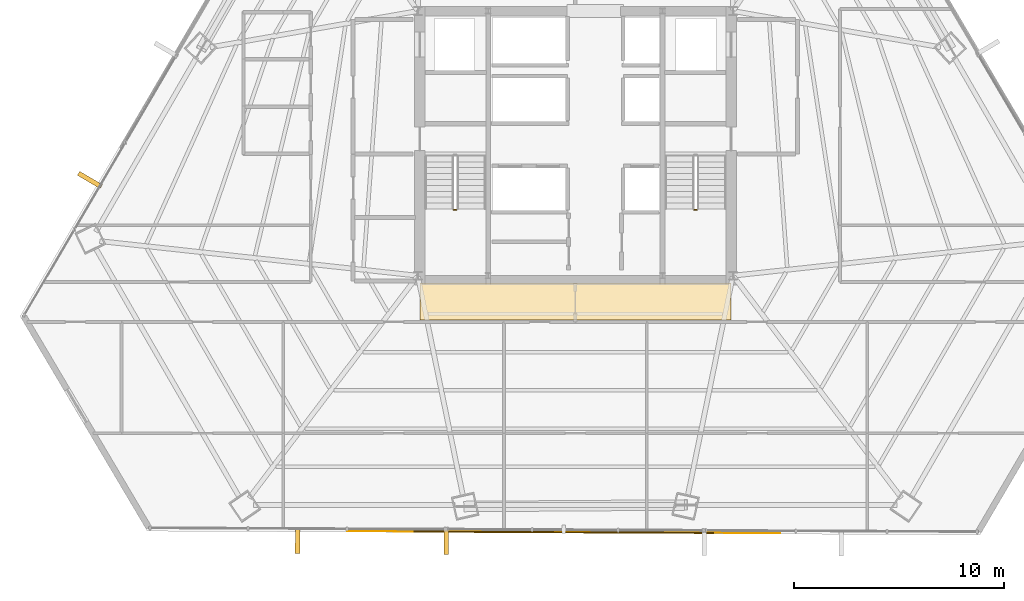
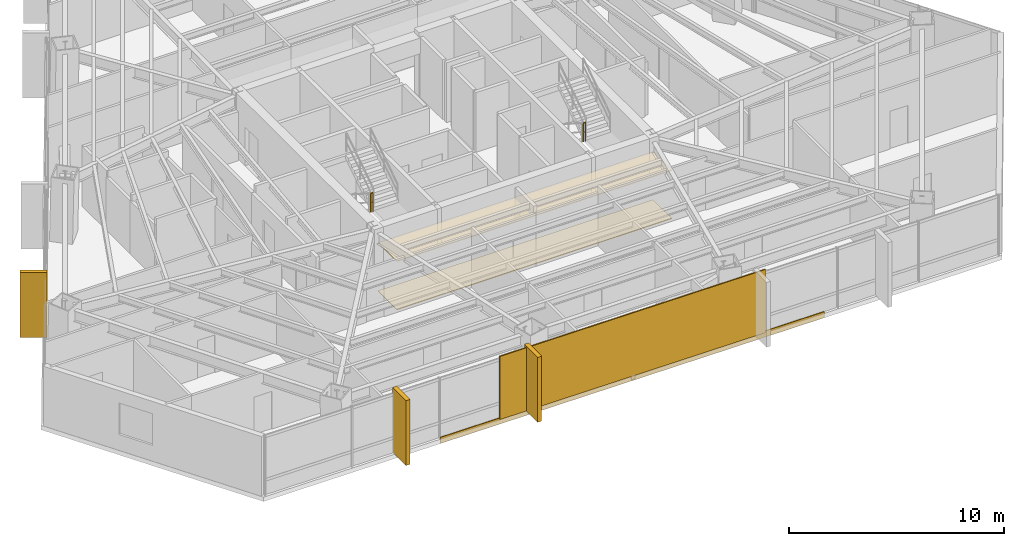
# One storey, part 33 of 35: 6 coverings, 2 railings, 1 shading device.
"""IFC4 building model written with IfcOpenShell, lengths in metres."""

from ifc_helpers import new_model, si_unit, direction, frame, origin, origin_2d, place, context, subcontext, project, spatial, polyline, rectangle, outline, extrude, source, transform, mapped, material, layer, layer_set, type_object, type_shapes, element, save


model = new_model("IFC4")

# Units and contexts
model_context = context("Model", 3, precision=1e-05, world=origin(), true_north=direction((0.0, 1.0)))
body_context = subcontext(model_context, "Body", "Model", "MODEL_VIEW")
ifc_project = project(units=[si_unit("LENGTHUNIT", "METRE"), si_unit("AREAUNIT", "SQUARE_METRE"), si_unit("VOLUMEUNIT", "CUBIC_METRE"), si_unit("PLANEANGLEUNIT", "RADIAN"), si_unit("MASSUNIT", "GRAM", prefix="KILO")], contexts=[model_context])

# Site, building, storey
site_placement = place(None, origin())
site = spatial("IfcSite", under=ifc_project, at=site_placement, CompositionType="ELEMENT")
building_placement = place(site_placement, origin())
building = spatial("IfcBuilding", under=site, at=building_placement, Name="Caelisora Broadcast Tower", CompositionType="ELEMENT")
storey_placement = place(building_placement, frame((0.0, 0.0, 109.050048828125)))
storey = spatial("IfcBuildingStorey", under=building, at=storey_placement, Name="L28", CompositionType="ELEMENT", Elevation=109.050048828125)

# Coverings
ifc_material_1 = material(Name="Perforated Mineral-Fibre Acoustic Ceiling Tile", Category="gypsum")
ifc_layer_1 = layer(ifc_material_1, 0.034912109375, Name="Perforated Mineral-Fibre Acoustic Ceiling Tile")
ifc_layer_set_1 = layer_set([ifc_layer_1], Name="Perforated Mineral-Fibre Acoustic Ceiling Tile")
covering_type_1 = type_object("IfcCoveringType", Name="CE-1", PredefinedType="CEILING", material=ifc_layer_set_1)
covering_1_placement = place(storey_placement, frame((0.0, 0.0, 2.75)))
element("IfcCovering", 1, at=covering_1_placement, inside=storey, type_object=covering_type_1, Name="L28 acoustic corridor ceiling CE-1 (S)", PredefinedType="CEILING", context=body_context, shape_type="SweptSolid", body=[
    extrude(outline(polyline([(30.60009765625, 15.300048828125), (45.39990234375, 15.300048828125), (45.39990234375, 17.050048828125), (30.60009765625, 17.050048828125), (30.60009765625, 15.300048828125)])), origin(), (0.0, 0.0, 1.0), 0.034912109375),
])
ifc_material_2 = material(Name="Anti-Static Broadcast Raised Access Floor Panel", Category="steel")
ifc_layer_2 = layer(ifc_material_2, 0.044921875, Name="Anti-Static Broadcast Raised Access Floor Panel")
ifc_layer_set_2 = layer_set([ifc_layer_2], Name="Anti-Static Broadcast Raised Access Floor Panel")
covering_type_2 = type_object("IfcCoveringType", Name="FL-1", PredefinedType="FLOORING", material=ifc_layer_set_2)
covering_2_placement = place(storey_placement, origin())
element("IfcCovering", 2, at=covering_2_placement, inside=storey, type_object=covering_type_2, Name="L28 broadcast raised access floor FL-1 (S)", PredefinedType="FLOORING", context=body_context, shape_type="SweptSolid", body=[
    extrude(outline(polyline([(30.60009765625, 15.300048828125), (45.39990234375, 15.300048828125), (45.39990234375, 17.050048828125), (30.60009765625, 17.050048828125), (30.60009765625, 15.300048828125)])), origin(), (0.0, 0.0, 1.0), 0.044921875),
])

# Railings
ifc_material_3 = material(Name="Galvanised Steel Safety Guardrail", Category="steel")
ifc_layer_3 = layer(ifc_material_3, 0.048095703125, Name="Galvanised Steel Safety Guardrail")
ifc_layer_set_3 = layer_set([ifc_layer_3], Name="Galvanised Steel Safety Guardrail")
railing_type = type_object("IfcRailingType", Name="GR-1", PredefinedType="GUARDRAIL", material=ifc_layer_set_3)
for number, where, name in (
    (3, (32.219970703125, 20.530029296875, 1.824951171875), "L28 ST-1 stair guard 2"),
    (4, (43.659912109375, 20.530029296875, 1.824951171875), "L28 ST-2 stair guard 2"),
):
    element("IfcRailing", number, at=place(storey_placement, frame(where)), inside=storey, type_object=railing_type, Name=name, PredefinedType="GUARDRAIL", context=body_context, shape_type="SweptSolid", body=[
        extrude(rectangle(XDim=0.048095703125, YDim=0.048095703125, at=origin_2d()), frame((0.0, 0.0, 1.076171875), z_axis=(1.0, 0.0, 0.0), x_axis=(0.0, 1.0, 0.0)), (0.0, 0.0, 1.0), 0.1201171875),
        extrude(rectangle(XDim=0.03125, YDim=0.03125, at=origin_2d()), frame((0.0, 0.0, 0.550048828125), z_axis=(1.0, 0.0, 0.0), x_axis=(0.0, 1.0, 0.0)), (0.0, 0.0, 1.0), 0.1201171875),
        extrude(rectangle(XDim=0.0419921875, YDim=0.0419921875, at=origin_2d()), origin(), (0.0, 0.0, 1.0), 1.052001953125),
        extrude(rectangle(XDim=0.0419921875, YDim=0.0419921875, at=origin_2d()), frame((0.1201171875, 0.0, 0.0)), (0.0, 0.0, 1.0), 1.052001953125),
    ])

# Coverings
ifc_material_4 = material(Name="Kiln-Fired Terracotta Spandrel Rainscreen Cladding", Category="ceramic")
ifc_layer_4 = layer(ifc_material_4, 0.044921875, Name="Kiln-Fired Terracotta Spandrel Rainscreen Cladding")
ifc_layer_set_4 = layer_set([ifc_layer_4], Name="Kiln-Fired Terracotta Spandrel Rainscreen Cladding")
covering_type_3 = type_object("IfcCoveringType", Name="CL-1", PredefinedType="CLADDING", material=ifc_layer_set_4)
shared_shape_1 = source(origin(), body_context, "Body", "SweptSolid", [
    extrude(rectangle(XDim=0.219970703125, YDim=1.25, at=origin_2d()), origin(), (0.0, 0.0, 1.0), 3.68994140625),
])
for number, where, z_axis, x_axis, name in (
    (5, (31.849365234375, 4.764892578125, -0.02001953125), (0.0, 0.0, 1.0), (-0.999989703949, 0.004537840481, 0.0), "L28 vertical solar fin cladding #2-3"),
    (6, (24.7763671875, 4.79736328125, -0.02001953125), (0.0, 0.0, 1.0), (-0.999989703949, 0.004537840481, 0.0), "L28 vertical solar fin cladding #2-4"),
    (7, (14.888671875, 21.957275390625, -0.02001953125), (0.0, 0.0, 1.0), (0.505582083675, 0.862778509623, 0.0), "L28 vertical solar fin cladding #3-1"),
):
    element("IfcCovering", number, at=place(storey_placement, frame(where, z_axis=z_axis, x_axis=x_axis)), inside=storey, type_object=covering_type_3, Name=name, PredefinedType="CLADDING", context=body_context, shape_type="MappedRepresentation", body=[
        mapped(shared_shape_1, transform((0.0, 0.0, 0.0), scale=1.0)),
    ])

# Shading device
ifc_material_5 = material(Name="Perforated Glazed Terracotta Baguette Solar Screen", Category="ceramic")
ifc_layer_5 = layer(ifc_material_5, 0.06494140625, Name="Perforated Glazed Terracotta Baguette Solar Screen")
ifc_layer_set_5 = layer_set([ifc_layer_5], Name="Perforated Glazed Terracotta Baguette Solar Screen")
shading_device_type = type_object("IfcShadingDeviceType", Name="SS-1", PredefinedType="USERDEFINED", material=ifc_layer_set_5)
shared_shape_2 = source(origin(), body_context, "Body", "SweptSolid", [
    extrude(rectangle(XDim=14.27294921875, YDim=0.06494140625, at=origin_2d()), origin(), (0.0, 0.0, 1.0), 3.590087890625),
])
type_shapes(shading_device_type, [shared_shape_2])
shading_device_placement = place(storey_placement, frame((37.443603515625, 5.18896484375, 0.0), z_axis=(0.0, 0.0, 1.0), x_axis=(0.999989703949, -0.004537840481, 0.0)))
element("IfcShadingDevice", 8, at=shading_device_placement, inside=storey, type_object=shading_device_type, Name="L28 perforated terracotta solar screen #2", ObjectType="SOLAR SCREEN", PredefinedType="USERDEFINED", context=body_context, shape_type="MappedRepresentation", body=[
    mapped(shared_shape_2, transform((0.0, 0.0, 0.0), scale=1.0)),
])

# Covering
shared_shape_3 = source(origin(), body_context, "Body", "SweptSolid", [
    extrude(rectangle(XDim=20.616943359375, YDim=0.044921875, at=origin_2d()), origin(), (0.0, 0.0, 1.0), 0.340087890625),
])
type_shapes(covering_type_3, [shared_shape_1, shared_shape_3])
covering_3_placement = place(storey_placement, frame((37.44384765625, 5.208984375, -0.27001953125), z_axis=(0.0, 0.0, 1.0), x_axis=(0.999989703949, -0.004537840481, 0.0)))
element("IfcCovering", 9, at=covering_3_placement, inside=storey, type_object=covering_type_3, Name="L28 terracotta spandrel rainscreen #2", PredefinedType="CLADDING", context=body_context, shape_type="MappedRepresentation", body=[
    mapped(shared_shape_3, transform((0.0, 0.0, 0.0), scale=1.0)),
])

save(model, "model.ifc")
